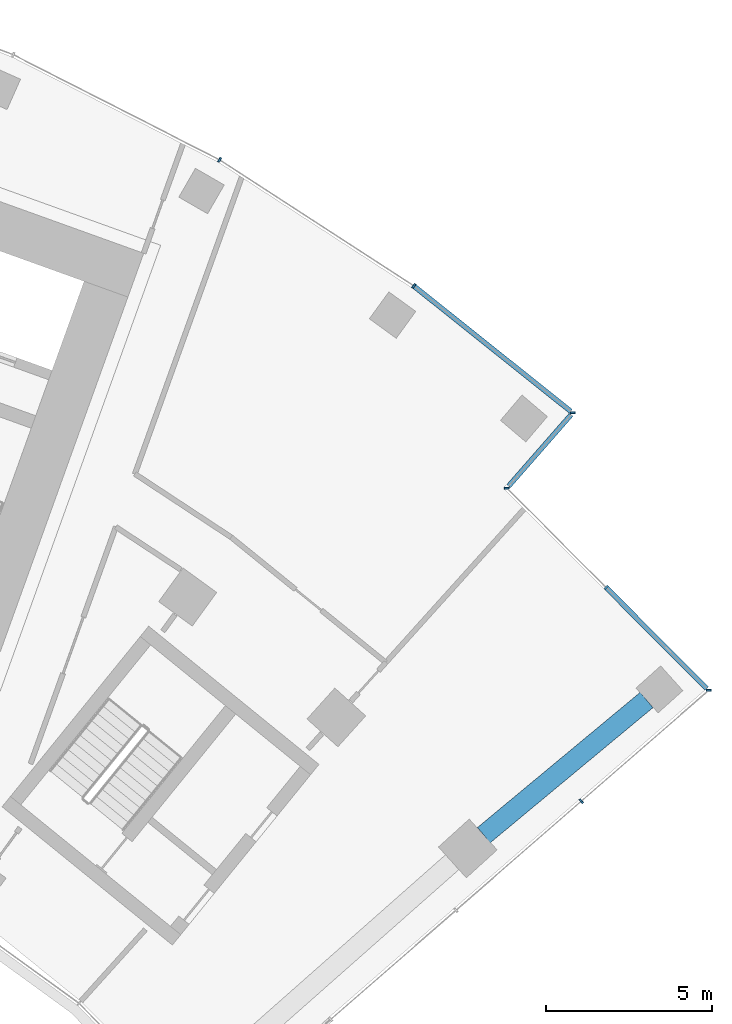
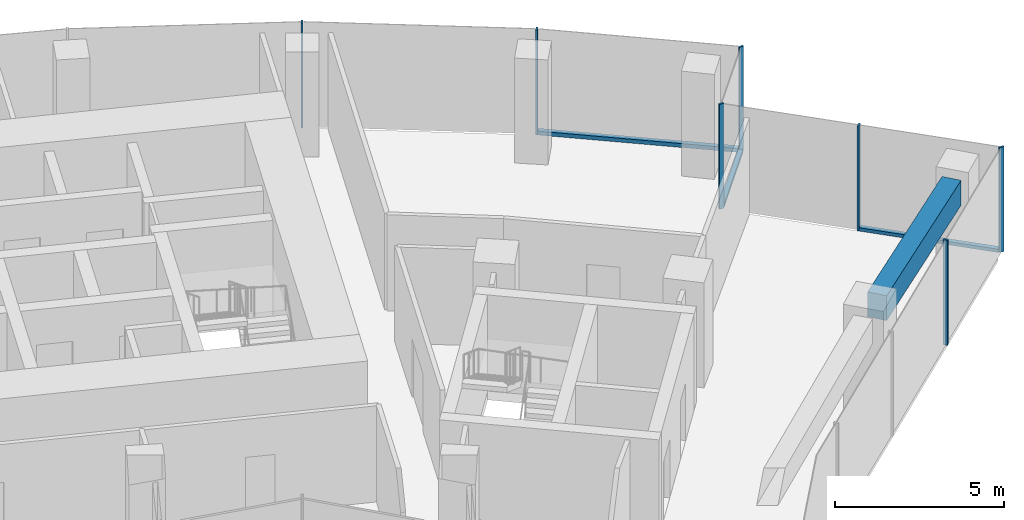
# One storey, part 9 of 20: 10 members, 1 beam, 4 elements without a shape of their own.
"""IFC4 building model written with IfcOpenShell, lengths in metres."""

from ifc_helpers import new_model, si_unit, direction, frame, origin, origin_2d, place, context, subcontext, project, spatial, rectangle, extrude, material, layer, layer_set, material_profile, profile_set, type_object, element, aggregate, save


model = new_model("IFC4")

# Units and contexts
model_context = context("Model", 3, precision=1e-05, world=origin(), true_north=direction((0.0, 1.0)))
body_context = subcontext(model_context, "Body", "Model", "MODEL_VIEW")
ifc_project = project(units=[si_unit("LENGTHUNIT", "METRE"), si_unit("AREAUNIT", "SQUARE_METRE"), si_unit("VOLUMEUNIT", "CUBIC_METRE"), si_unit("PLANEANGLEUNIT", "RADIAN"), si_unit("MASSUNIT", "GRAM", prefix="KILO")], contexts=[model_context])

# Site, building, storey
site_placement = place(None, origin())
site = spatial("IfcSite", under=ifc_project, at=site_placement, CompositionType="ELEMENT")
building_placement = place(site_placement, origin())
building = spatial("IfcBuilding", under=site, at=building_placement, Name="Stone Belt Terrace Tower", CompositionType="ELEMENT")
storey_placement = place(building_placement, frame((0.0, 0.0, 174.39990234375)))
storey = spatial("IfcBuildingStorey", under=building, at=storey_placement, Name="L42", CompositionType="ELEMENT", Elevation=174.39990234375)

# Curtain wall, members
ifc_material_1 = material(Name="Aluminium 6063-T6 anodised frame", Category="aluminium")
ifc_layer_1 = layer(ifc_material_1, 0.14990234375)
ifc_layer_set_1 = layer_set([ifc_layer_1], Name="CW-A unitised convex-face curtain wall")
curtain_wall_type_1 = type_object("IfcCurtainWallType", Name="CW-A unitised convex-face curtain wall", PredefinedType="NOTDEFINED", material=ifc_layer_set_1)
curtain_wall_1_placement = place(storey_placement, origin())
curtain_wall_1 = element("IfcCurtainWall", 1, at=curtain_wall_1_placement, inside=storey, type_object=curtain_wall_type_1, Name="CW-A convex face L42", PredefinedType="NOTDEFINED")
ifc_material_profile_1 = material_profile(ifc_material_1, rectangle(XDim=0.14990234375, YDim=0.06005859375, at=origin_2d()), Name="Aluminium 6063-T6 60x150")
ifc_profile_set_1 = profile_set([ifc_material_profile_1], Name="Aluminium 6063-T6 anodised frame")
member_type_1 = type_object("IfcMemberType", Name="CW-A mullion 60 x 150", PredefinedType="MULLION", material=ifc_profile_set_1)
member_1_placement = place(storey_placement, frame((43.91748046875, 50.03955078125, 0.0), z_axis=(0.0, 0.0, 1.0), x_axis=(-0.996049824893, -0.088796094119, 0.0)))
member_1 = element("IfcMember", 2, at=member_1_placement, type_object=member_type_1, Name="CW-A mullion 1", PredefinedType="MULLION", context=body_context, shape_type="SweptSolid", body=[
    extrude(rectangle(XDim=0.14990234375, YDim=0.06005859375, at=origin_2d()), origin(), (0.0, 0.0, 1.0), 3.800048828125),
])
member_2_placement = place(storey_placement, frame((39.131591796875, 53.860595703125, 0.0), z_axis=(0.0, 0.0, 1.0), x_axis=(-0.58498432965, -0.811044594375, 0.0)))
member_2 = element("IfcMember", 3, at=member_2_placement, type_object=member_type_1, Name="CW-A mullion 2", PredefinedType="MULLION", context=body_context, shape_type="SweptSolid", body=[
    extrude(rectangle(XDim=0.14990234375, YDim=0.06005859375, at=origin_2d()), origin(), (0.0, 0.0, 1.0), 3.800048828125),
])
member_3_placement = place(storey_placement, frame((33.28759765625, 57.65576171875, 0.0), z_axis=(0.0, 0.0, 1.0), x_axis=(-0.5, -0.866025403784, 0.0)))
member_3 = element("IfcMember", 4, at=member_3_placement, type_object=member_type_1, Name="CW-A mullion 3", PredefinedType="MULLION", context=body_context, shape_type="SweptSolid", body=[
    extrude(rectangle(XDim=0.14990234375, YDim=0.06005859375, at=origin_2d()), origin(), (0.0, 0.0, 1.0), 3.800048828125),
])
ifc_material_profile_2 = material_profile(ifc_material_1, rectangle(XDim=0.14990234375, YDim=0.139892578125, at=origin_2d()), Name="Aluminium 6063-T6 150x140")
ifc_profile_set_2 = profile_set([ifc_material_profile_2], Name="Aluminium 6063-T6 anodised frame")
member_type_2 = type_object("IfcMemberType", Name="CW-A transom 140 x 150", PredefinedType="USERDEFINED", material=ifc_profile_set_2)
member_4_placement = place(storey_placement, frame((43.85888671875, 50.086181640625, 0.070068359375), z_axis=(-0.78146238199, 0.623952358385, 0.0), x_axis=(-0.623952358385, -0.78146238199, 0.0)))
member_4 = element("IfcMember", 5, at=member_4_placement, type_object=member_type_2, Name="CW-A transom 1.1", ObjectType="TRANSOM", PredefinedType="USERDEFINED", context=body_context, shape_type="SweptSolid", body=[
    extrude(rectangle(XDim=0.14990234375, YDim=0.139892578125, at=origin_2d()), origin(), (0.0, 0.0, 1.0), 6.015625),
])
aggregate(curtain_wall_1, [member_1, member_2, member_3, member_4])

# Curtain wall, member
ifc_layer_2 = layer(ifc_material_1, 0.14990234375)
ifc_layer_set_2 = layer_set([ifc_layer_2], Name="CW-C stick curtain wall, horn ends and notches")
curtain_wall_type_2 = type_object("IfcCurtainWallType", Name="CW-C stick curtain wall, horn ends and notches", PredefinedType="NOTDEFINED", material=ifc_layer_set_2)
curtain_wall_2_placement = place(storey_placement, origin())
curtain_wall_2 = element("IfcCurtainWall", 6, at=curtain_wall_2_placement, inside=storey, type_object=curtain_wall_type_2, Name="CW-C end face L42", PredefinedType="NOTDEFINED")
ifc_material_profile_3 = material_profile(ifc_material_1, rectangle(XDim=0.14990234375, YDim=0.06005859375, at=origin_2d()), Name="Aluminium 6063-T6 60x150")
ifc_profile_set_3 = profile_set([ifc_material_profile_3], Name="Aluminium 6063-T6 anodised frame")
member_type_3 = type_object("IfcMemberType", Name="CW-C mullion 60 x 150", PredefinedType="MULLION", material=ifc_profile_set_3)
member_5_placement = place(storey_placement, frame((44.174072265625, 38.352294921875, 0.0), z_axis=(0.0, 0.0, 1.0), x_axis=(-0.65656142871, 0.754272557058, 0.0)))
member_5 = element("IfcMember", 7, at=member_5_placement, type_object=member_type_3, Name="CW-C mullion 4", PredefinedType="MULLION", context=body_context, shape_type="SweptSolid", body=[
    extrude(rectangle(XDim=0.14990234375, YDim=0.06005859375, at=origin_2d()), origin(), (0.0, 0.0, 1.0), 3.800048828125),
])
aggregate(curtain_wall_2, [member_5])

# Curtain wall, members
curtain_wall_3_placement = place(storey_placement, origin())
curtain_wall_3 = element("IfcCurtainWall", 8, at=curtain_wall_3_placement, inside=storey, type_object=curtain_wall_type_2, Name="CW-C notch face L42", PredefinedType="NOTDEFINED")
member_6_placement = place(storey_placement, frame((48.006103515625, 41.687744140625, 0.0), z_axis=(0.0, 0.0, 1.0), x_axis=(-0.999376571232, 0.03530536605, 0.0)))
member_6 = element("IfcMember", 9, at=member_6_placement, type_object=member_type_3, Name="CW-C mullion 1", PredefinedType="MULLION", context=body_context, shape_type="SweptSolid", body=[
    extrude(rectangle(XDim=0.14990234375, YDim=0.06005859375, at=origin_2d()), origin(), (0.0, 0.0, 1.0), 3.800048828125),
])
member_7_placement = place(storey_placement, frame((44.917724609375, 44.78515625, 0.0), z_axis=(0.0, 0.0, 1.0), x_axis=(-0.70815119576, -0.706060821703, 0.0)))
member_7 = element("IfcMember", 10, at=member_7_placement, type_object=member_type_3, Name="CW-C mullion 2", PredefinedType="MULLION", context=body_context, shape_type="SweptSolid", body=[
    extrude(rectangle(XDim=0.14990234375, YDim=0.06005859375, at=origin_2d()), origin(), (0.0, 0.0, 1.0), 3.800048828125),
])

# Curtain wall, member
curtain_wall_4_placement = place(storey_placement, origin())
curtain_wall_4 = element("IfcCurtainWall", 11, at=curtain_wall_4_placement, inside=storey, type_object=curtain_wall_type_2, Name="CW-C notch face L42", PredefinedType="NOTDEFINED")
member_8_placement = place(storey_placement, frame((41.935546875, 47.776123046875, 0.0), z_axis=(0.0, 0.0, 1.0), x_axis=(-0.99947657515, -0.032350822665, 0.0)))
member_8 = element("IfcMember", 12, at=member_8_placement, type_object=member_type_3, Name="CW-C mullion 1", PredefinedType="MULLION", context=body_context, shape_type="SweptSolid", body=[
    extrude(rectangle(XDim=0.14990234375, YDim=0.06005859375, at=origin_2d()), origin(), (0.0, 0.0, 1.0), 3.800048828125),
])

# Member
ifc_material_profile_4 = material_profile(ifc_material_1, rectangle(XDim=0.14990234375, YDim=0.1201171875, at=origin_2d()), Name="Aluminium 6063-T6 150x120")
ifc_profile_set_4 = profile_set([ifc_material_profile_4], Name="Aluminium 6063-T6 anodised frame")
member_type_4 = type_object("IfcMemberType", Name="CW-C transom 120 x 150", PredefinedType="USERDEFINED", material=ifc_profile_set_4)
member_9_placement = place(storey_placement, frame((47.952880859375, 41.740966796875, 0.06005859375), z_axis=(-0.70604791857, 0.70816406057, 0.0), x_axis=(-0.70816406057, -0.70604791857, 0.0)))
member_9 = element("IfcMember", 13, at=member_9_placement, type_object=member_type_4, Name="CW-C transom 1.1", ObjectType="TRANSOM", PredefinedType="USERDEFINED", context=body_context, shape_type="SweptSolid", body=[
    extrude(rectangle(XDim=0.14990234375, YDim=0.1201171875, at=origin_2d()), origin(), (0.0, 0.0, 1.0), 4.268798828125),
])

aggregate(curtain_wall_3, [member_6, member_7, member_9])

member_10_placement = place(storey_placement, frame((41.98388671875, 47.831298828125, 0.06005859375), z_axis=(0.658782538551, 0.752333414717, 0.0), x_axis=(-0.752333414717, 0.658782538551, 0.0)))
member_10 = element("IfcMember", 14, at=member_10_placement, type_object=member_type_4, Name="CW-C transom 1.1", ObjectType="TRANSOM", PredefinedType="USERDEFINED", context=body_context, shape_type="SweptSolid", body=[
    extrude(rectangle(XDim=0.14990234375, YDim=0.1201171875, at=origin_2d()), origin(), (0.0, 0.0, 1.0), 2.8603515625),
])

aggregate(curtain_wall_4, [member_8, member_10])

# Beam
ifc_material_2 = material(Name="Concrete B60", Category="concrete")
ifc_material_profile_5 = material_profile(ifc_material_2, rectangle(XDim=0.60009765625, YDim=0.89990234375, at=origin_2d()), Name="RC 600x900")
ifc_profile_set_5 = profile_set([ifc_material_profile_5], Name="Concrete B60")
beam_type = type_object("IfcBeamType", Name="Edge beam RC 600x900 B60", PredefinedType="SPANDREL", material=ifc_profile_set_5)
beam_placement = place(storey_placement, frame((41.2392578125, 37.3291015625, 3.030029296875), z_axis=(0.769366872877, 0.638807181331, 0.0), x_axis=(-0.638807181331, 0.769366872877, 0.0)))
element("IfcBeam", 15, at=beam_placement, inside=storey, type_object=beam_type, Name="Edge beam L42 B Q to R", PredefinedType="SPANDREL", context=body_context, shape_type="SweptSolid", body=[
    extrude(rectangle(XDim=0.60009765625, YDim=0.89990234375, at=origin_2d()), origin(), (0.0, 0.0, 1.0), 6.369140625),
])

save(model, "model.ifc")
